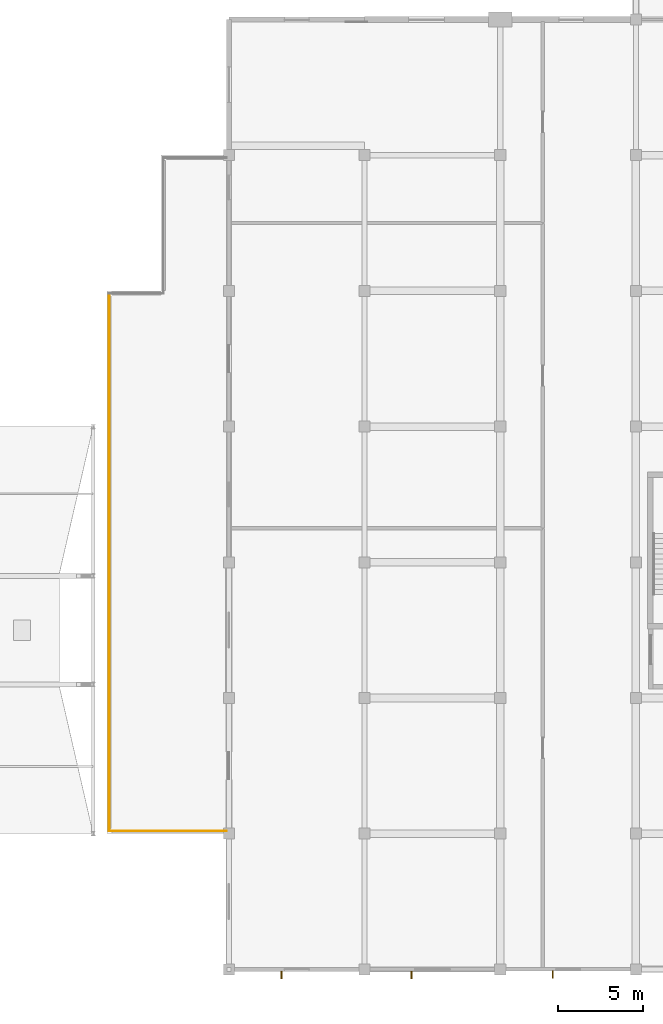
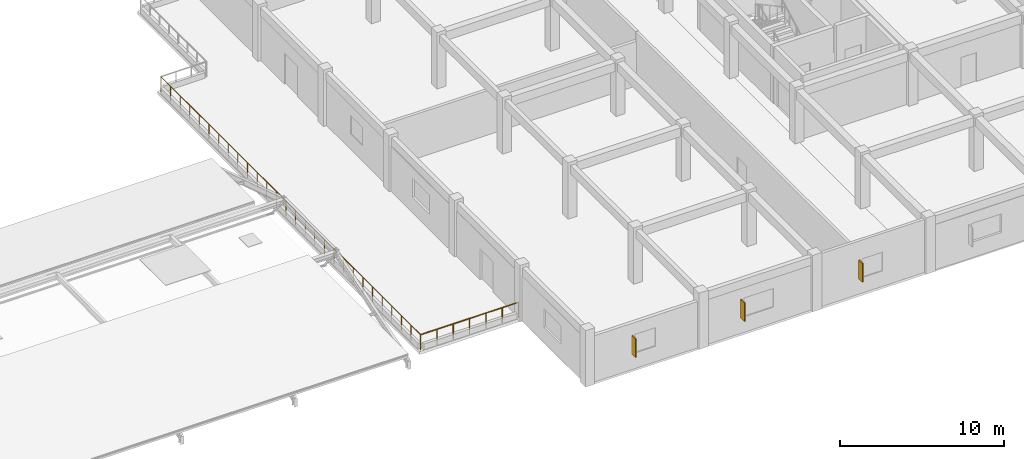
# One storey, part 50 of 54: 3 shading devices, 2 railings.
"""IFC4 building model written with IfcOpenShell, lengths in metres."""

from ifc_helpers import new_model, si_unit, direction, frame, origin, origin_2d, place, context, subcontext, project, spatial, rectangle, circle, extrude, material, type_object, element, save


model = new_model("IFC4")

# Units and contexts
model_context = context("Model", 3, precision=1e-05, world=origin(), true_north=direction((0.0, 1.0)))
body_context = subcontext(model_context, "Body", "Model", "MODEL_VIEW")
ifc_project = project(units=[si_unit("LENGTHUNIT", "METRE"), si_unit("AREAUNIT", "SQUARE_METRE"), si_unit("VOLUMEUNIT", "CUBIC_METRE"), si_unit("PLANEANGLEUNIT", "RADIAN"), si_unit("MASSUNIT", "GRAM", prefix="KILO")], contexts=[model_context])

# Site, building, storey
site_placement = place(None, origin())
site = spatial("IfcSite", under=ifc_project, at=site_placement, CompositionType="ELEMENT")
building_placement = place(site_placement, origin())
building = spatial("IfcBuilding", under=site, at=building_placement, Name="Kenh Van Central Station", CompositionType="ELEMENT")
storey_placement = place(building_placement, frame((0.0, 0.0, 15.0)))
storey = spatial("IfcBuildingStorey", under=building, at=storey_placement, Name="L03", CompositionType="ELEMENT", Elevation=15.0)

# Railings
ifc_material_1 = material(Name="Champagne anodised aluminium", Category="aluminium")
railing_type = type_object("IfcRailingType", Name="RAIL-TERR-GRD115", PredefinedType="GUARDRAIL", material=ifc_material_1)
railing_1_placement = place(storey_placement, frame((120.949951171875, 16.14990234375, 0.0)))
element("IfcRailing", 1, at=railing_1_placement, inside=storey, type_object=railing_type, Name="L03 terrace guardrail 06", PredefinedType="GUARDRAIL", context=body_context, shape_type="SweptSolid", body=[
    extrude(circle(Radius=0.02392578125, at=origin_2d()), frame((0.0, 0.0, 1.1259765625), z_axis=(1.0, 0.0, 0.0), x_axis=(0.0, 1.0, 0.0)), (0.0, 0.0, 1.0), 6.900146484375),
    extrude(circle(Radius=0.02099609375, at=origin_2d()), origin(), (0.0, 0.0, 1.0), 1.101806640625),
    extrude(circle(Radius=0.02099609375, at=origin_2d()), frame((1.14990234375, 0.0, 0.0)), (0.0, 0.0, 1.0), 1.101806640625),
    extrude(circle(Radius=0.02099609375, at=origin_2d()), frame((2.300048828125, 0.0, 0.0)), (0.0, 0.0, 1.0), 1.101806640625),
    extrude(circle(Radius=0.02099609375, at=origin_2d()), frame((3.4501953125, 0.0, 0.0)), (0.0, 0.0, 1.0), 1.101806640625),
    extrude(circle(Radius=0.02099609375, at=origin_2d()), frame((4.60009765625, 0.0, 0.0)), (0.0, 0.0, 1.0), 1.101806640625),
    extrude(circle(Radius=0.02099609375, at=origin_2d()), frame((5.75, 0.0, 0.0)), (0.0, 0.0, 1.0), 1.101806640625),
    extrude(circle(Radius=0.02099609375, at=origin_2d()), frame((6.900146484375, 0.0, 0.0)), (0.0, 0.0, 1.0), 1.101806640625),
])
railing_2_placement = place(storey_placement, frame((120.949951171875, 16.14990234375, 0.0)))
element("IfcRailing", 2, at=railing_2_placement, inside=storey, type_object=railing_type, Name="L03 terrace guardrail 07", PredefinedType="GUARDRAIL", context=body_context, shape_type="SweptSolid", body=[
    extrude(circle(Radius=0.02392578125, at=origin_2d()), frame((0.0, 0.0, 1.1259765625), z_axis=(0.0, 1.0, 0.0), x_axis=(-1.0, 0.0, 0.0)), (0.0, 0.0, 1.0), 31.7001953125),
    extrude(circle(Radius=0.02099609375, at=origin_2d()), origin(), (0.0, 0.0, 1.0), 1.101806640625),
    extrude(circle(Radius=0.02099609375, at=origin_2d()), frame((0.0, 1.174072265625, 0.0)), (0.0, 0.0, 1.0), 1.101806640625),
    extrude(circle(Radius=0.02099609375, at=origin_2d()), frame((0.0, 2.34814453125, 0.0)), (0.0, 0.0, 1.0), 1.101806640625),
    extrude(circle(Radius=0.02099609375, at=origin_2d()), frame((0.0, 3.522216796875, 0.0)), (0.0, 0.0, 1.0), 1.101806640625),
    extrude(circle(Radius=0.02099609375, at=origin_2d()), frame((0.0, 4.6962890625, 0.0)), (0.0, 0.0, 1.0), 1.101806640625),
    extrude(circle(Radius=0.02099609375, at=origin_2d()), frame((0.0, 5.870361328125, 0.0)), (0.0, 0.0, 1.0), 1.101806640625),
    extrude(circle(Radius=0.02099609375, at=origin_2d()), frame((0.0, 7.04443359375, 0.0)), (0.0, 0.0, 1.0), 1.101806640625),
    extrude(circle(Radius=0.02099609375, at=origin_2d()), frame((0.0, 8.218505859375, 0.0)), (0.0, 0.0, 1.0), 1.101806640625),
    extrude(circle(Radius=0.02099609375, at=origin_2d()), frame((0.0, 9.392578125, 0.0)), (0.0, 0.0, 1.0), 1.101806640625),
    extrude(circle(Radius=0.02099609375, at=origin_2d()), frame((0.0, 10.566650390625, 0.0)), (0.0, 0.0, 1.0), 1.101806640625),
    extrude(circle(Radius=0.02099609375, at=origin_2d()), frame((0.0, 11.74072265625, 0.0)), (0.0, 0.0, 1.0), 1.101806640625),
    extrude(circle(Radius=0.02099609375, at=origin_2d()), frame((0.0, 12.914794921875, 0.0)), (0.0, 0.0, 1.0), 1.101806640625),
    extrude(circle(Radius=0.02099609375, at=origin_2d()), frame((0.0, 14.0888671875, 0.0)), (0.0, 0.0, 1.0), 1.101806640625),
    extrude(circle(Radius=0.02099609375, at=origin_2d()), frame((0.0, 15.262939453125, 0.0)), (0.0, 0.0, 1.0), 1.101806640625),
    extrude(circle(Radius=0.02099609375, at=origin_2d()), frame((0.0, 16.437255859375, 0.0)), (0.0, 0.0, 1.0), 1.101806640625),
    extrude(circle(Radius=0.02099609375, at=origin_2d()), frame((0.0, 17.611328125, 0.0)), (0.0, 0.0, 1.0), 1.101806640625),
    extrude(circle(Radius=0.02099609375, at=origin_2d()), frame((0.0, 18.785400390625, 0.0)), (0.0, 0.0, 1.0), 1.101806640625),
    extrude(circle(Radius=0.02099609375, at=origin_2d()), frame((0.0, 19.95947265625, 0.0)), (0.0, 0.0, 1.0), 1.101806640625),
    extrude(circle(Radius=0.02099609375, at=origin_2d()), frame((0.0, 21.133544921875, 0.0)), (0.0, 0.0, 1.0), 1.101806640625),
    extrude(circle(Radius=0.02099609375, at=origin_2d()), frame((0.0, 22.3076171875, 0.0)), (0.0, 0.0, 1.0), 1.101806640625),
    extrude(circle(Radius=0.02099609375, at=origin_2d()), frame((0.0, 23.481689453125, 0.0)), (0.0, 0.0, 1.0), 1.101806640625),
    extrude(circle(Radius=0.02099609375, at=origin_2d()), frame((0.0, 24.65576171875, 0.0)), (0.0, 0.0, 1.0), 1.101806640625),
    extrude(circle(Radius=0.02099609375, at=origin_2d()), frame((0.0, 25.829833984375, 0.0)), (0.0, 0.0, 1.0), 1.101806640625),
    extrude(circle(Radius=0.02099609375, at=origin_2d()), frame((0.0, 27.00390625, 0.0)), (0.0, 0.0, 1.0), 1.101806640625),
    extrude(circle(Radius=0.02099609375, at=origin_2d()), frame((0.0, 28.177978515625, 0.0)), (0.0, 0.0, 1.0), 1.101806640625),
    extrude(circle(Radius=0.02099609375, at=origin_2d()), frame((0.0, 29.35205078125, 0.0)), (0.0, 0.0, 1.0), 1.101806640625),
    extrude(circle(Radius=0.02099609375, at=origin_2d()), frame((0.0, 30.526123046875, 0.0)), (0.0, 0.0, 1.0), 1.101806640625),
    extrude(circle(Radius=0.02099609375, at=origin_2d()), frame((0.0, 31.7001953125, 0.0)), (0.0, 0.0, 1.0), 1.101806640625),
])

# Shading devices
ifc_material_2 = material(Name="Precast concrete C40/50", Category="concrete")
shading_device_type = type_object("IfcShadingDeviceType", Name="SHD-FIN-SHT", PredefinedType="SHUTTER", material=ifc_material_2)
for number, where, z_axis, x_axis, name in (
    (3, (131.094970703125, 7.6650390625, 1.150146484375), (0.0, 0.0, 1.0), (0.0, -1.0, 0.0), "L03 vertical brise-soleil fin 011"),
    (4, (138.77001953125, 7.675048828125, 1.150146484375), (0.0, 0.0, 1.0), (0.0, -1.0, 0.0), "L03 vertical brise-soleil fin 012"),
    (5, (147.094970703125, 7.6875, 1.150146484375), (0.0, 0.0, 1.0), (0.0, -1.0, 0.0), "L03 vertical brise-soleil fin 013"),
):
    element("IfcShadingDevice", number, at=place(storey_placement, frame(where, z_axis=z_axis, x_axis=x_axis)), inside=storey, type_object=shading_device_type, Name=name, PredefinedType="SHUTTER", context=body_context, shape_type="SweptSolid", body=[
        extrude(rectangle(XDim=0.449951171875, YDim=0.080078125, at=origin_2d()), origin(), (0.0, 0.0, 1.0), 1.39990234375),
    ])

save(model, "model.ifc")
